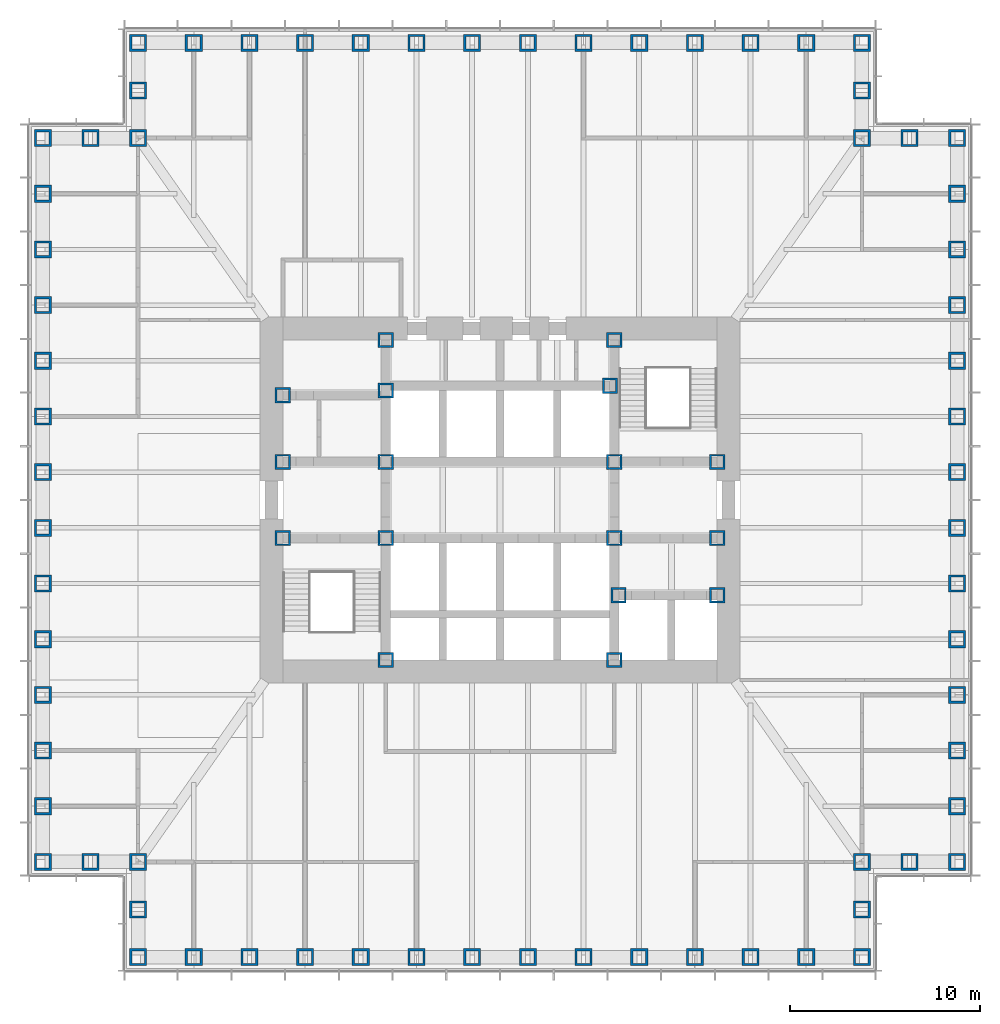
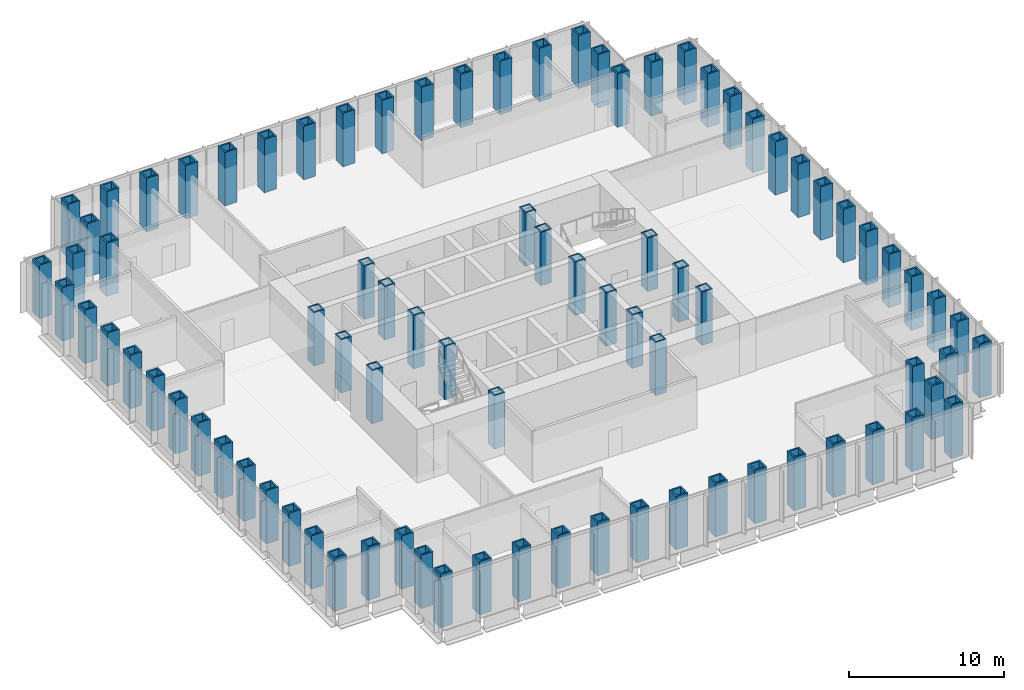
# One storey, part 1 of 17: 85 columns.
"""IFC4 building model written with IfcOpenShell, lengths in metres."""

from ifc_helpers import new_model, si_unit, direction, frame, origin, origin_2d, place, context, subcontext, project, spatial, hollow_rectangle, extrude, material, material_profile, profile_set, type_object, element, save


model = new_model("IFC4")

# Units and contexts
model_context = context("Model", 3, precision=1e-05, world=origin(), true_north=direction((0.0, 1.0)))
body_context = subcontext(model_context, "Body", "Model", "MODEL_VIEW")
ifc_project = project(units=[si_unit("LENGTHUNIT", "METRE"), si_unit("AREAUNIT", "SQUARE_METRE"), si_unit("VOLUMEUNIT", "CUBIC_METRE"), si_unit("PLANEANGLEUNIT", "RADIAN"), si_unit("MASSUNIT", "GRAM", prefix="KILO")], contexts=[model_context])

# Site, building, storey
site_placement = place(None, origin())
site = spatial("IfcSite", under=ifc_project, at=site_placement, CompositionType="ELEMENT")
building_placement = place(site_placement, origin())
building = spatial("IfcBuilding", under=site, at=building_placement, Name="Daluyong Arena Tower", CompositionType="ELEMENT")
storey_placement = place(building_placement, frame((0.0, 0.0, 81.10009765625)))
storey = spatial("IfcBuildingStorey", under=building, at=storey_placement, Name="L17", CompositionType="ELEMENT", Elevation=81.10009765625)

# Columns
ifc_material_1 = material(Name="Steel ASTM A572 Grade 50", Category="steel")
ifc_material_profile_1 = material_profile(ifc_material_1, hollow_rectangle(XDim=0.800048828125, YDim=0.800048828125, WallThickness=0.1, at=origin_2d()))
ifc_profile_set_1 = profile_set([ifc_material_profile_1], Name="Steel ASTM A572 Grade 50")
column_type_1 = type_object("IfcColumnType", Name="Core boundary column BX800X100", PredefinedType="COLUMN", material=ifc_profile_set_1)
for number, where, z_axis, x_axis, name in (
    (1, (44.60009765625, 78.0, 0.0), (0.0, 0.0, 1.0), (1.0, 0.0, 0.0), "core boundary column BC2"),
    (2, (44.60009765625, 82.0, 0.0), (0.0, 0.0, 1.0), (1.0, 0.0, 0.0), "core boundary column BC2"),
    (3, (44.60009765625, 85.5, 0.0), (0.0, 0.0, 1.0), (1.0, 0.0, 0.0), "core boundary column BC2"),
    (4, (50.0, 71.60009765625, 0.0), (0.0, 0.0, 1.0), (1.0, 0.0, 0.0), "core boundary column BC2"),
    (5, (50.0, 78.0, 0.0), (0.0, 0.0, 1.0), (1.0, 0.0, 0.0), "core boundary column BC2"),
    (6, (50.0, 82.0, 0.0), (0.0, 0.0, 1.0), (1.0, 0.0, 0.0), "core boundary column BC2"),
    (7, (50.0, 85.75, 0.0), (0.0, 0.0, 1.0), (1.0, 0.0, 0.0), "core boundary column BC2"),
    (8, (50.0, 88.39990234375, 0.0), (0.0, 0.0, 1.0), (1.0, 0.0, 0.0), "core boundary column BC2"),
    (9, (61.77490234375, 86.0, 0.0), (0.0, 0.0, 1.0), (1.0, 0.0, 0.0), "core boundary column BC2"),
    (10, (62.0, 71.60009765625, 0.0), (0.0, 0.0, 1.0), (1.0, 0.0, 0.0), "core boundary column BC2"),
    (11, (62.0, 78.0, 0.0), (0.0, 0.0, 1.0), (1.0, 0.0, 0.0), "core boundary column BC2"),
    (12, (62.0, 82.0, 0.0), (0.0, 0.0, 1.0), (1.0, 0.0, 0.0), "core boundary column BC2"),
    (13, (62.0, 88.39990234375, 0.0), (0.0, 0.0, 1.0), (1.0, 0.0, 0.0), "core boundary column BC2"),
    (14, (62.22509765625, 75.0, 0.0), (0.0, 0.0, 1.0), (1.0, 0.0, 0.0), "core boundary column BC2"),
    (15, (67.39990234375, 75.0, 0.0), (0.0, 0.0, 1.0), (1.0, 0.0, 0.0), "core boundary column BC2"),
    (16, (67.39990234375, 78.0, 0.0), (0.0, 0.0, 1.0), (1.0, 0.0, 0.0), "core boundary column BC2"),
    (17, (67.39990234375, 82.0, 0.0), (0.0, 0.0, 1.0), (1.0, 0.0, 0.0), "core boundary column BC2"),
):
    element("IfcColumn", number, at=place(storey_placement, frame(where, z_axis=z_axis, x_axis=x_axis)), inside=storey, type_object=column_type_1, Name=name, PredefinedType="COLUMN", context=body_context, shape_type="SweptSolid", body=[
        extrude(hollow_rectangle(XDim=0.800048828125, YDim=0.800048828125, WallThickness=0.1, at=origin_2d()), origin(), (0.0, 0.0, 1.0), 4.199951171875),
    ])
ifc_material_2 = material(Name="Steel ASTM A588 Grade 50", Category="steel")
ifc_material_profile_2 = material_profile(ifc_material_2, hollow_rectangle(XDim=0.89990234375, YDim=0.89990234375, WallThickness=0.12, at=origin_2d()))
ifc_profile_set_2 = profile_set([ifc_material_profile_2], Name="Steel ASTM A588 Grade 50")
column_type_2 = type_object("IfcColumnType", Name="Tube column BX900X120 BX900X120", PredefinedType="COLUMN", material=ifc_profile_set_2)
for number, where, z_axis, x_axis, name in (
    (18, (37.0, 56.0, 0.0), (0.0, 0.0, 1.0), (1.0, 0.0, 0.0), "tube column bx900x120 TC4"),
    (19, (39.923095703125, 56.0, 0.0), (0.0, 0.0, 1.0), (1.0, 0.0, 0.0), "tube column bx900x120 TC4"),
    (20, (42.84619140625, 56.0, 0.0), (0.0, 0.0, 1.0), (1.0, 0.0, 0.0), "tube column bx900x120 TC4"),
    (21, (45.769287109375, 56.0, 0.0), (0.0, 0.0, 1.0), (1.0, 0.0, 0.0), "tube column bx900x120 TC4"),
    (22, (48.6923828125, 56.0, 0.0), (0.0, 0.0, 1.0), (1.0, 0.0, 0.0), "tube column bx900x120 TC4"),
    (23, (51.615478515625, 56.0, 0.0), (0.0, 0.0, 1.0), (1.0, 0.0, 0.0), "tube column bx900x120 TC4"),
    (24, (54.53857421875, 56.0, 0.0), (0.0, 0.0, 1.0), (1.0, 0.0, 0.0), "tube column bx900x120 TC4"),
    (25, (57.46142578125, 56.0, 0.0), (0.0, 0.0, 1.0), (1.0, 0.0, 0.0), "tube column bx900x120 TC4"),
    (26, (60.384521484375, 56.0, 0.0), (0.0, 0.0, 1.0), (1.0, 0.0, 0.0), "tube column bx900x120 TC4"),
    (27, (63.3076171875, 56.0, 0.0), (0.0, 0.0, 1.0), (1.0, 0.0, 0.0), "tube column bx900x120 TC4"),
    (28, (66.230712890625, 56.0, 0.0), (0.0, 0.0, 1.0), (1.0, 0.0, 0.0), "tube column bx900x120 TC4"),
    (29, (69.15380859375, 56.0, 0.0), (0.0, 0.0, 1.0), (1.0, 0.0, 0.0), "tube column bx900x120 TC4"),
    (30, (72.076904296875, 56.0, 0.0), (0.0, 0.0, 1.0), (1.0, 0.0, 0.0), "tube column bx900x120 TC4"),
    (31, (75.0, 56.0, 0.0), (0.0, 0.0, 1.0), (0.0, 1.0, 0.0), "tube column bx900x120 TC4"),
    (32, (75.0, 58.5, 0.0), (0.0, 0.0, 1.0), (0.0, 1.0, 0.0), "tube column bx900x120 TC4"),
    (33, (75.0, 61.0, 0.0), (0.0, 0.0, 1.0), (1.0, 0.0, 0.0), "tube column bx900x120 TC4"),
    (34, (77.5, 61.0, 0.0), (0.0, 0.0, 1.0), (1.0, 0.0, 0.0), "tube column bx900x120 TC4"),
    (35, (80.0, 61.0, 0.0), (0.0, 0.0, 1.0), (0.0, 1.0, 0.0), "tube column bx900x120 TC4"),
    (36, (80.0, 63.923095703125, 0.0), (0.0, 0.0, 1.0), (0.0, 1.0, 0.0), "tube column bx900x120 TC4"),
    (37, (80.0, 66.84619140625, 0.0), (0.0, 0.0, 1.0), (0.0, 1.0, 0.0), "tube column bx900x120 TC4"),
    (38, (80.0, 69.769287109375, 0.0), (0.0, 0.0, 1.0), (0.0, 1.0, 0.0), "tube column bx900x120 TC4"),
    (39, (80.0, 72.6923828125, 0.0), (0.0, 0.0, 1.0), (0.0, 1.0, 0.0), "tube column bx900x120 TC4"),
    (40, (80.0, 75.615478515625, 0.0), (0.0, 0.0, 1.0), (0.0, 1.0, 0.0), "tube column bx900x120 TC4"),
    (41, (80.0, 78.53857421875, 0.0), (0.0, 0.0, 1.0), (0.0, 1.0, 0.0), "tube column bx900x120 TC4"),
    (42, (80.0, 81.46142578125, 0.0), (0.0, 0.0, 1.0), (0.0, 1.0, 0.0), "tube column bx900x120 TC4"),
    (43, (80.0, 84.384521484375, 0.0), (0.0, 0.0, 1.0), (0.0, 1.0, 0.0), "tube column bx900x120 TC4"),
    (44, (80.0, 87.3076171875, 0.0), (0.0, 0.0, 1.0), (0.0, 1.0, 0.0), "tube column bx900x120 TC4"),
    (45, (80.0, 90.230712890625, 0.0), (0.0, 0.0, 1.0), (0.0, 1.0, 0.0), "tube column bx900x120 TC4"),
    (46, (80.0, 93.15380859375, 0.0), (0.0, 0.0, 1.0), (0.0, 1.0, 0.0), "tube column bx900x120 TC4"),
    (47, (80.0, 96.076904296875, 0.0), (0.0, 0.0, 1.0), (0.0, 1.0, 0.0), "tube column bx900x120 TC4"),
    (48, (80.0, 99.0, 0.0), (0.0, 0.0, 1.0), (1.0, 0.0, 0.0), "tube column bx900x120 TC4"),
    (49, (77.5, 99.0, 0.0), (0.0, 0.0, 1.0), (1.0, 0.0, 0.0), "tube column bx900x120 TC4"),
    (50, (75.0, 99.0, 0.0), (0.0, 0.0, 1.0), (0.0, 1.0, 0.0), "tube column bx900x120 TC4"),
    (51, (75.0, 101.5, 0.0), (0.0, 0.0, 1.0), (0.0, 1.0, 0.0), "tube column bx900x120 TC4"),
    (52, (75.0, 104.0, 0.0), (0.0, 0.0, 1.0), (1.0, 0.0, 0.0), "tube column bx900x120 TC4"),
    (53, (72.076904296875, 104.0, 0.0), (0.0, 0.0, 1.0), (1.0, 0.0, 0.0), "tube column bx900x120 TC4"),
    (54, (69.15380859375, 104.0, 0.0), (0.0, 0.0, 1.0), (1.0, 0.0, 0.0), "tube column bx900x120 TC4"),
    (55, (66.230712890625, 104.0, 0.0), (0.0, 0.0, 1.0), (1.0, 0.0, 0.0), "tube column bx900x120 TC4"),
    (56, (63.3076171875, 104.0, 0.0), (0.0, 0.0, 1.0), (1.0, 0.0, 0.0), "tube column bx900x120 TC4"),
    (57, (60.384521484375, 104.0, 0.0), (0.0, 0.0, 1.0), (1.0, 0.0, 0.0), "tube column bx900x120 TC4"),
    (58, (57.46142578125, 104.0, 0.0), (0.0, 0.0, 1.0), (1.0, 0.0, 0.0), "tube column bx900x120 TC4"),
    (59, (54.53857421875, 104.0, 0.0), (0.0, 0.0, 1.0), (1.0, 0.0, 0.0), "tube column bx900x120 TC4"),
    (60, (51.615478515625, 104.0, 0.0), (0.0, 0.0, 1.0), (1.0, 0.0, 0.0), "tube column bx900x120 TC4"),
    (61, (48.6923828125, 104.0, 0.0), (0.0, 0.0, 1.0), (1.0, 0.0, 0.0), "tube column bx900x120 TC4"),
    (62, (45.769287109375, 104.0, 0.0), (0.0, 0.0, 1.0), (1.0, 0.0, 0.0), "tube column bx900x120 TC4"),
    (63, (42.84619140625, 104.0, 0.0), (0.0, 0.0, 1.0), (1.0, 0.0, 0.0), "tube column bx900x120 TC4"),
    (64, (39.923095703125, 104.0, 0.0), (0.0, 0.0, 1.0), (1.0, 0.0, 0.0), "tube column bx900x120 TC4"),
    (65, (37.0, 104.0, 0.0), (0.0, 0.0, 1.0), (0.0, 1.0, 0.0), "tube column bx900x120 TC4"),
    (66, (37.0, 101.5, 0.0), (0.0, 0.0, 1.0), (0.0, 1.0, 0.0), "tube column bx900x120 TC4"),
    (67, (37.0, 99.0, 0.0), (0.0, 0.0, 1.0), (1.0, 0.0, 0.0), "tube column bx900x120 TC4"),
    (68, (34.5, 99.0, 0.0), (0.0, 0.0, 1.0), (1.0, 0.0, 0.0), "tube column bx900x120 TC4"),
    (69, (32.0, 99.0, 0.0), (0.0, 0.0, 1.0), (0.0, 1.0, 0.0), "tube column bx900x120 TC4"),
    (70, (32.0, 96.076904296875, 0.0), (0.0, 0.0, 1.0), (0.0, 1.0, 0.0), "tube column bx900x120 TC4"),
    (71, (32.0, 93.15380859375, 0.0), (0.0, 0.0, 1.0), (0.0, 1.0, 0.0), "tube column bx900x120 TC4"),
    (72, (32.0, 90.230712890625, 0.0), (0.0, 0.0, 1.0), (0.0, 1.0, 0.0), "tube column bx900x120 TC4"),
    (73, (32.0, 87.3076171875, 0.0), (0.0, 0.0, 1.0), (0.0, 1.0, 0.0), "tube column bx900x120 TC4"),
    (74, (32.0, 84.384521484375, 0.0), (0.0, 0.0, 1.0), (0.0, 1.0, 0.0), "tube column bx900x120 TC4"),
    (75, (32.0, 81.46142578125, 0.0), (0.0, 0.0, 1.0), (0.0, 1.0, 0.0), "tube column bx900x120 TC4"),
    (76, (32.0, 78.53857421875, 0.0), (0.0, 0.0, 1.0), (0.0, 1.0, 0.0), "tube column bx900x120 TC4"),
    (77, (32.0, 75.615478515625, 0.0), (0.0, 0.0, 1.0), (0.0, 1.0, 0.0), "tube column bx900x120 TC4"),
    (78, (32.0, 72.6923828125, 0.0), (0.0, 0.0, 1.0), (0.0, 1.0, 0.0), "tube column bx900x120 TC4"),
    (79, (32.0, 69.769287109375, 0.0), (0.0, 0.0, 1.0), (0.0, 1.0, 0.0), "tube column bx900x120 TC4"),
    (80, (32.0, 66.84619140625, 0.0), (0.0, 0.0, 1.0), (0.0, 1.0, 0.0), "tube column bx900x120 TC4"),
    (81, (32.0, 63.923095703125, 0.0), (0.0, 0.0, 1.0), (0.0, 1.0, 0.0), "tube column bx900x120 TC4"),
    (82, (32.0, 61.0, 0.0), (0.0, 0.0, 1.0), (1.0, 0.0, 0.0), "tube column bx900x120 TC4"),
    (83, (34.5, 61.0, 0.0), (0.0, 0.0, 1.0), (1.0, 0.0, 0.0), "tube column bx900x120 TC4"),
    (84, (37.0, 61.0, 0.0), (0.0, 0.0, 1.0), (0.0, 1.0, 0.0), "tube column bx900x120 TC4"),
    (85, (37.0, 58.5, 0.0), (0.0, 0.0, 1.0), (0.0, 1.0, 0.0), "tube column bx900x120 TC4"),
):
    element("IfcColumn", number, at=place(storey_placement, frame(where, z_axis=z_axis, x_axis=x_axis)), inside=storey, type_object=column_type_2, Name=name, PredefinedType="COLUMN", context=body_context, shape_type="SweptSolid", body=[
        extrude(hollow_rectangle(XDim=0.89990234375, YDim=0.89990234375, WallThickness=0.12, at=origin_2d()), origin(), (0.0, 0.0, 1.0), 4.199951171875),
    ])

save(model, "model.ifc")
